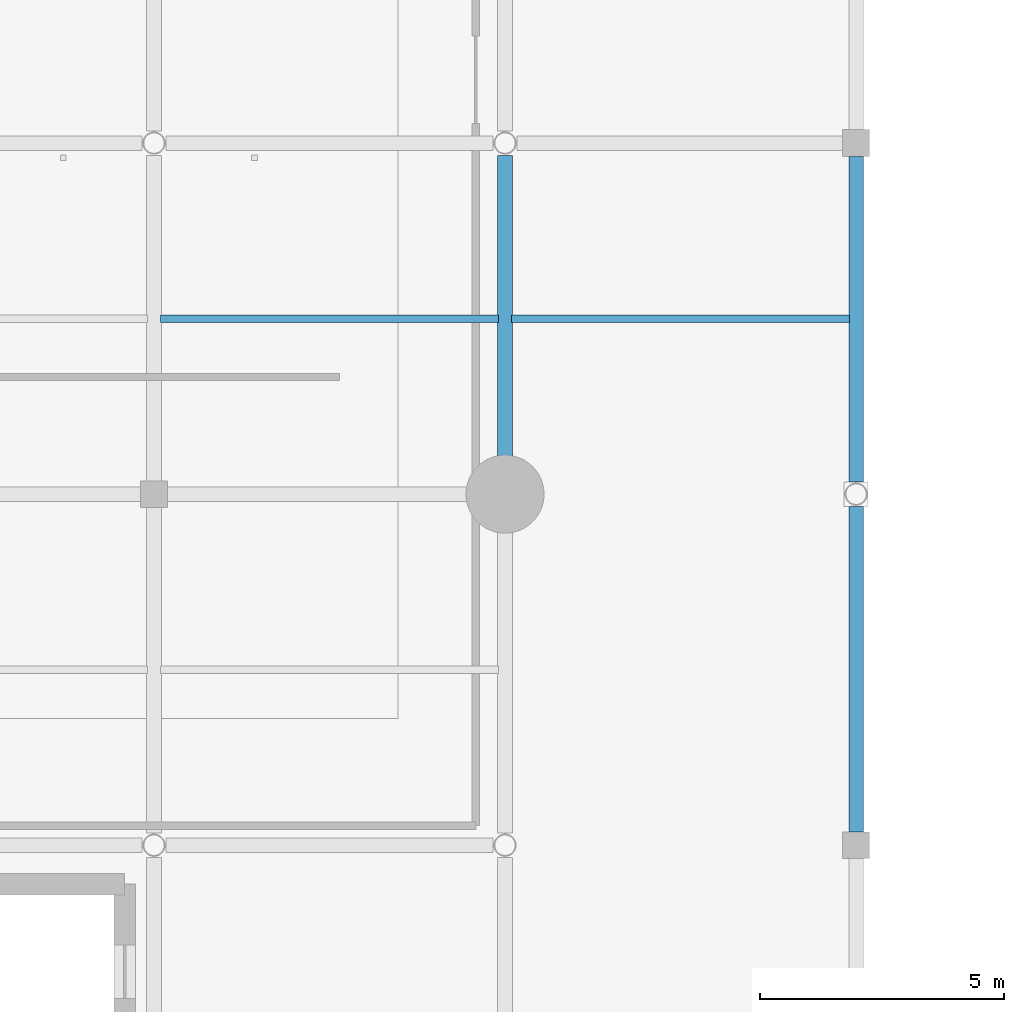
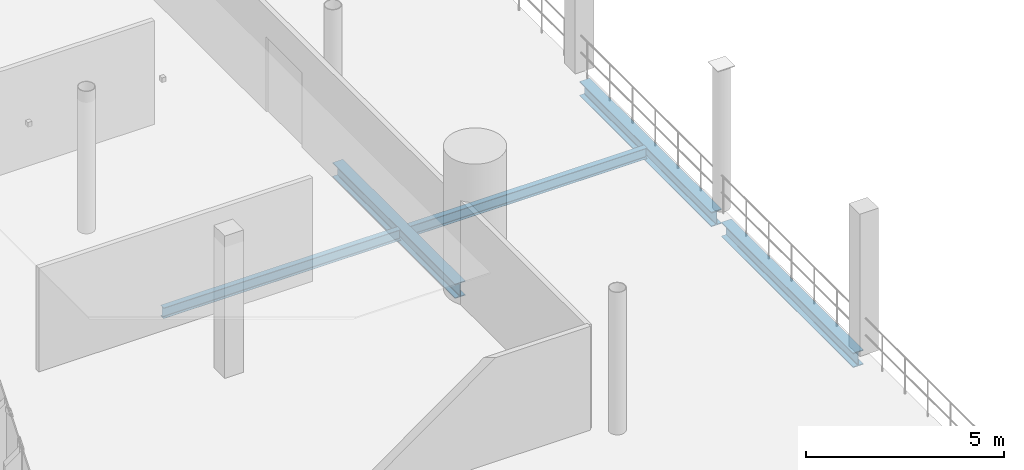
# One storey, part 26 of 81: 5 beams.
"""IFC4 building model written with IfcOpenShell, lengths in metres."""

from ifc_helpers import new_model, si_unit, direction, frame, origin, origin_2d, place, context, subcontext, project, spatial, i_section, extrude, material, material_profile, profile_set, type_object, element, save


model = new_model("IFC4")

# Units and contexts
model_context = context("Model", 3, precision=1e-05, world=origin(), true_north=direction((0.0, 1.0)))
body_context = subcontext(model_context, "Body", "Model", "MODEL_VIEW")
ifc_project = project(units=[si_unit("LENGTHUNIT", "METRE"), si_unit("AREAUNIT", "SQUARE_METRE"), si_unit("VOLUMEUNIT", "CUBIC_METRE"), si_unit("PLANEANGLEUNIT", "RADIAN"), si_unit("MASSUNIT", "GRAM", prefix="KILO")], contexts=[model_context])

# Site, building, storey
site_placement = place(None, origin())
site = spatial("IfcSite", under=ifc_project, at=site_placement, CompositionType="ELEMENT")
building_placement = place(site_placement, origin())
building = spatial("IfcBuilding", under=site, at=building_placement, Name="Qandorah Velis Arena", CompositionType="ELEMENT")
storey_placement = place(building_placement, frame((0.0, 0.0, 18.60009765625)))
storey = spatial("IfcBuildingStorey", under=building, at=storey_placement, Name="L04", CompositionType="ELEMENT", Elevation=18.60009765625)

# Beams
ifc_material = material(Name="Steel S355", Category="steel")
ifc_material_profile_1 = material_profile(ifc_material, i_section(OverallWidth=0.300048828125, OverallDepth=0.449951171875, WebThickness=0.013916015625, FlangeThickness=0.02587890625, FilletRadius=0.027099609375, at=origin_2d()), Name="HEB 450")
ifc_profile_set_1 = profile_set([ifc_material_profile_1], Name="Steel S355")
beam_type_1 = type_object("IfcBeamType", Name="STR-BM-HEB450", PredefinedType="BEAM", material=ifc_profile_set_1)
beam_1_placement = place(storey_placement, frame((14.39990234375, 58.35009765625, -0.4951171875), z_axis=(0.0, 1.0, 0.0), x_axis=(-1.0, 0.0, 0.0)))
element("IfcBeam", 1, at=beam_1_placement, inside=storey, type_object=beam_type_1, Name="Primary floor girder L04 Y-175", PredefinedType="BEAM", context=body_context, shape_type="SweptSolid", body=[
    extrude(i_section(OverallWidth=0.300048828125, OverallDepth=0.449951171875, WebThickness=0.013916015625, FlangeThickness=0.02587890625, FilletRadius=0.027099609375, at=origin_2d()), origin(), (0.0, 0.0, 1.0), 6.199951171875),
])
beam_2_placement = place(storey_placement, frame((21.60009765625, 50.675048828125, -0.4951171875), z_axis=(0.0, 1.0, 0.0), x_axis=(-1.0, 0.0, 0.0)))
element("IfcBeam", 2, at=beam_2_placement, inside=storey, type_object=beam_type_1, Name="Primary floor girder L04 Y-187", PredefinedType="BEAM", context=body_context, shape_type="SweptSolid", body=[
    extrude(i_section(OverallWidth=0.300048828125, OverallDepth=0.449951171875, WebThickness=0.013916015625, FlangeThickness=0.02587890625, FilletRadius=0.027099609375, at=origin_2d()), origin(), (0.0, 0.0, 1.0), 6.675048828125),
])
beam_3_placement = place(storey_placement, frame((21.60009765625, 57.85009765625, -0.4951171875), z_axis=(0.0, 1.0, 0.0), x_axis=(-1.0, 0.0, 0.0)))
element("IfcBeam", 3, at=beam_3_placement, inside=storey, type_object=beam_type_1, Name="Primary floor girder L04 Y-188", PredefinedType="BEAM", context=body_context, shape_type="SweptSolid", body=[
    extrude(i_section(OverallWidth=0.300048828125, OverallDepth=0.449951171875, WebThickness=0.013916015625, FlangeThickness=0.02587890625, FilletRadius=0.027099609375, at=origin_2d()), origin(), (0.0, 0.0, 1.0), 6.6748046875),
])
ifc_material_profile_2 = material_profile(ifc_material, i_section(OverallWidth=0.159912109375, OverallDepth=0.330078125, WebThickness=0.007568359375, FlangeThickness=0.011474609375, FilletRadius=0.01806640625, at=origin_2d()), Name="IPE 330")
ifc_profile_set_2 = profile_set([ifc_material_profile_2], Name="Steel S355")
beam_type_2 = type_object("IfcBeamType", Name="STR-JST-IPE330", PredefinedType="JOIST", material=ifc_profile_set_2)
beam_4_placement = place(storey_placement, frame((7.3349609375, 61.199951171875, -0.43505859375), z_axis=(1.0, 0.0, 0.0), x_axis=(0.0, 1.0, 0.0)))
element("IfcBeam", 4, at=beam_4_placement, inside=storey, type_object=beam_type_2, Name="Secondary floor joist L04-014", PredefinedType="JOIST", context=body_context, shape_type="SweptSolid", body=[
    extrude(i_section(OverallWidth=0.159912109375, OverallDepth=0.330078125, WebThickness=0.007568359375, FlangeThickness=0.011474609375, FilletRadius=0.01806640625, at=origin_2d()), origin(), (0.0, 0.0, 1.0), 6.929931640625),
])
beam_5_placement = place(storey_placement, frame((14.534912109375, 61.199951171875, -0.43505859375), z_axis=(1.0, 0.0, 0.0), x_axis=(0.0, 1.0, 0.0)))
element("IfcBeam", 5, at=beam_5_placement, inside=storey, type_object=beam_type_2, Name="Secondary floor joist L04-025", PredefinedType="JOIST", context=body_context, shape_type="SweptSolid", body=[
    extrude(i_section(OverallWidth=0.159912109375, OverallDepth=0.330078125, WebThickness=0.007568359375, FlangeThickness=0.011474609375, FilletRadius=0.01806640625, at=origin_2d()), origin(), (0.0, 0.0, 1.0), 6.93017578125),
])

save(model, "model.ifc")
